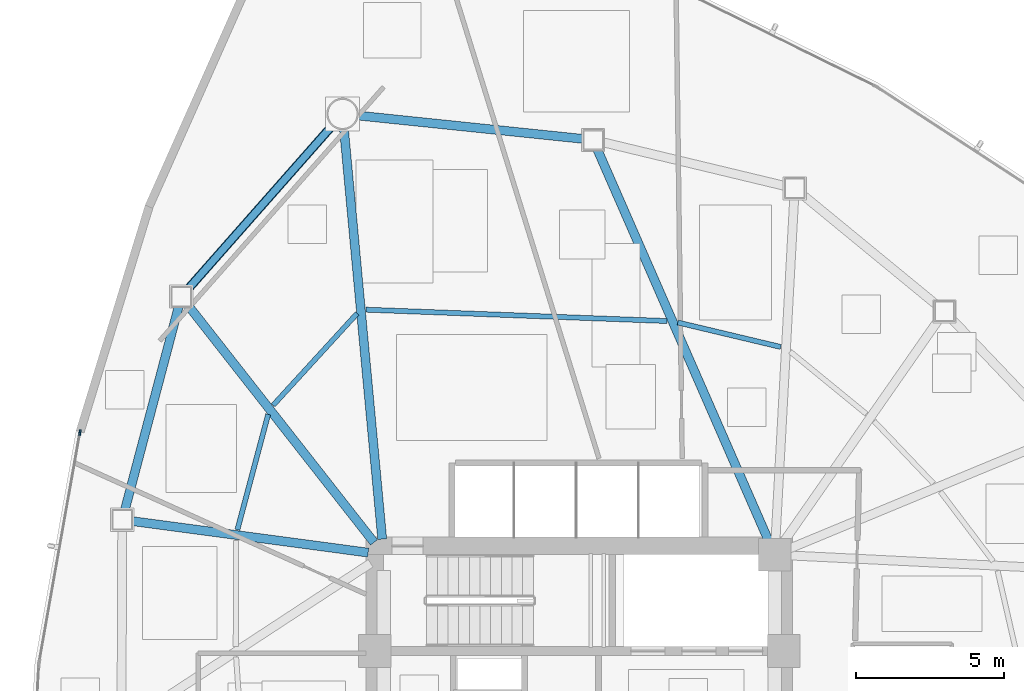
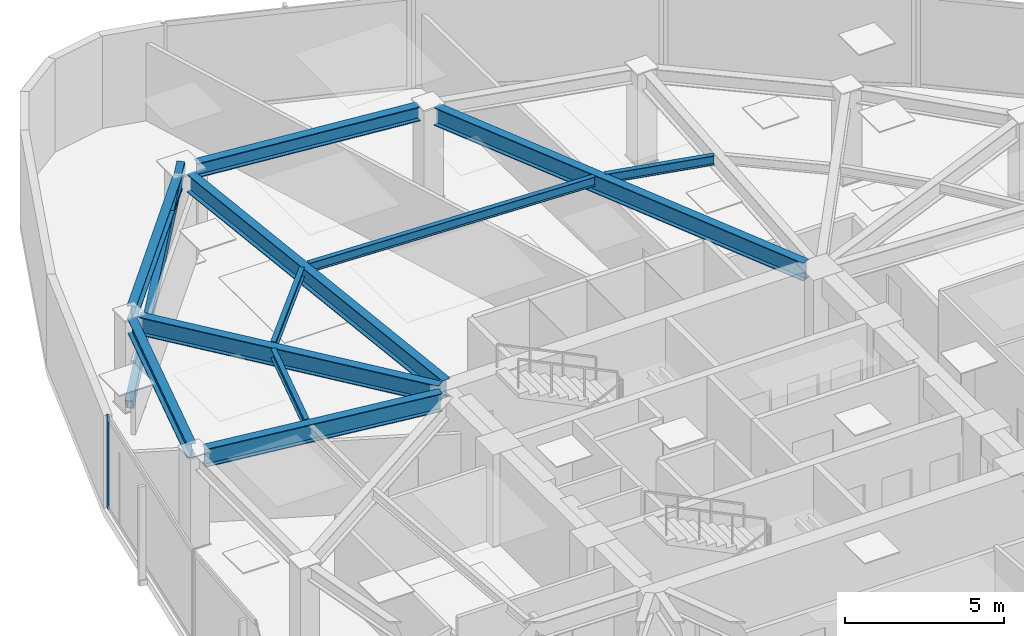
# One storey, part 7 of 17: 11 beams, 2 members, 1 element without a shape of its own.
"""IFC4 building model written with IfcOpenShell, lengths in metres."""

from ifc_helpers import new_model, si_unit, direction, frame, origin, origin_2d, place, context, subcontext, project, spatial, hollow_rectangle, i_section, extrude, source, transform, mapped, material, layer, layer_set, material_profile, profile_set, type_object, type_shapes, element, aggregate, save


model = new_model("IFC4")

# Units and contexts
model_context = context("Model", 3, precision=1e-05, world=origin(), true_north=direction((0.0, 1.0)))
body_context = subcontext(model_context, "Body", "Model", "MODEL_VIEW")
ifc_project = project(units=[si_unit("LENGTHUNIT", "METRE"), si_unit("AREAUNIT", "SQUARE_METRE"), si_unit("VOLUMEUNIT", "CUBIC_METRE"), si_unit("PLANEANGLEUNIT", "RADIAN"), si_unit("MASSUNIT", "GRAM", prefix="KILO")], contexts=[model_context])

# Site, building, storey
site_placement = place(None, origin())
site = spatial("IfcSite", under=ifc_project, at=site_placement, CompositionType="ELEMENT")
building_placement = place(site_placement, origin())
building = spatial("IfcBuilding", under=site, at=building_placement, Name="Tavelor Broadcast Tower", CompositionType="ELEMENT")
storey_placement = place(building_placement, frame((0.0, 0.0, 131.0)))
storey = spatial("IfcBuildingStorey", under=building, at=storey_placement, Name="L30", CompositionType="ELEMENT", Elevation=131.0)

# Beams
ifc_material_1 = material(Name="Steel S355", Category="steel")
ifc_material_profile_1 = material_profile(ifc_material_1, i_section(OverallWidth=0.169921875, OverallDepth=0.360107421875, WebThickness=0.008056640625, FlangeThickness=0.0126953125, at=origin_2d()), Name="IPE 360")
ifc_profile_set_1 = profile_set([ifc_material_profile_1], Name="Steel S355")
beam_type_1 = type_object("IfcBeamType", Name="Composite Floor Joist T3 IPE 360", PredefinedType="JOIST", material=ifc_profile_set_1)
beam_1_placement = place(storey_placement, frame((42.505126953125, 59.344970703125, 3.3701171875), z_axis=(-0.675177020038, -0.737655740581, 0.0), x_axis=(0.737655740581, -0.675177020038, 0.0)))
element("IfcBeam", 1, at=beam_1_placement, inside=storey, type_object=beam_type_1, Name="L30 Secondary Composite Floor Joist 01", PredefinedType="JOIST", context=body_context, shape_type="SweptSolid", body=[
    extrude(i_section(OverallWidth=0.169921875, OverallDepth=0.360107421875, WebThickness=0.008056640625, FlangeThickness=0.0126953125, at=origin_2d()), origin(), (0.0, 0.0, 1.0), 4.20068359375),
])
beam_2_placement = place(storey_placement, frame((39.5, 55.937744140625, 3.3701171875), z_axis=(-0.257647578953, -0.966238958571, 0.0), x_axis=(0.966238958571, -0.257647578953, 0.0)))
element("IfcBeam", 2, at=beam_2_placement, inside=storey, type_object=beam_type_1, Name="L30 Secondary Composite Floor Joist 02", PredefinedType="JOIST", context=body_context, shape_type="SweptSolid", body=[
    extrude(i_section(OverallWidth=0.169921875, OverallDepth=0.360107421875, WebThickness=0.008056640625, FlangeThickness=0.0126953125, at=origin_2d()), origin(), (0.0, 0.0, 1.0), 4.032958984375),
])
beam_3_placement = place(storey_placement, frame((56.80517578125, 58.21240234375, 3.3701171875), z_axis=(-0.972854549724, 0.231417426056, 0.0), x_axis=(-0.231417426056, -0.972854549724, 0.0)))
element("IfcBeam", 3, at=beam_3_placement, inside=storey, type_object=beam_type_1, Name="L30 Secondary Composite Floor Joist 17", PredefinedType="JOIST", context=body_context, shape_type="SweptSolid", body=[
    extrude(i_section(OverallWidth=0.169921875, OverallDepth=0.360107421875, WebThickness=0.008056640625, FlangeThickness=0.0126953125, at=origin_2d()), origin(), (0.0, 0.0, 1.0), 3.575439453125),
])
beam_4_placement = place(storey_placement, frame((52.969970703125, 59.08837890625, 3.3701171875), z_axis=(-0.999289376722, 0.037692725691, 0.0), x_axis=(-0.037692725691, -0.999289376722, 0.0)))
element("IfcBeam", 4, at=beam_4_placement, inside=storey, type_object=beam_type_1, Name="L30 Secondary Composite Floor Joist 18", PredefinedType="JOIST", context=body_context, shape_type="SweptSolid", body=[
    extrude(i_section(OverallWidth=0.169921875, OverallDepth=0.360107421875, WebThickness=0.008056640625, FlangeThickness=0.0126953125, at=origin_2d()), origin(), (0.0, 0.0, 1.0), 10.169189453125),
])
ifc_material_profile_2 = material_profile(ifc_material_1, i_section(OverallWidth=0.300048828125, OverallDepth=0.550048828125, WebThickness=0.014892578125, FlangeThickness=0.029052734375, at=origin_2d()), Name="HEB 550")
ifc_profile_set_2 = profile_set([ifc_material_profile_2], Name="Steel S355")
beam_type_2 = type_object("IfcBeamType", Name="Perimeter Spandrel Beam T3 HEB 550", PredefinedType="SPANDREL", material=ifc_profile_set_2)
beam_5_placement = place(storey_placement, frame((41.67236328125, 65.69580078125, 3.27490234375), z_axis=(-0.661628202511, -0.749832062292, 0.0), x_axis=(0.749832062292, -0.661628202511, 0.0)))
element("IfcBeam", 5, at=beam_5_placement, inside=storey, type_object=beam_type_2, Name="L30 Framed-Tube Ring Spandrel 01", PredefinedType="SPANDREL", context=body_context, shape_type="SweptSolid", body=[
    extrude(i_section(OverallWidth=0.300048828125, OverallDepth=0.550048828125, WebThickness=0.014892578125, FlangeThickness=0.029052734375, at=origin_2d()), origin(), (0.0, 0.0, 1.0), 7.379150390625),
])
beam_6_placement = place(storey_placement, frame((36.481689453125, 59.5859375, 3.27490234375), z_axis=(-0.255779440044, -0.966735164381, 0.0), x_axis=(0.966735164381, -0.255779440044, 0.0)))
element("IfcBeam", 6, at=beam_6_placement, inside=storey, type_object=beam_type_2, Name="L30 Framed-Tube Ring Spandrel 02", PredefinedType="SPANDREL", context=body_context, shape_type="SweptSolid", body=[
    extrude(i_section(OverallWidth=0.300048828125, OverallDepth=0.550048828125, WebThickness=0.014892578125, FlangeThickness=0.029052734375, at=origin_2d()), origin(), (0.0, 0.0, 1.0), 7.11865234375),
])
beam_7_placement = place(storey_placement, frame((50.13818359375, 65.23681640625, 3.27490234375), z_axis=(-0.994661371522, 0.103192809834, 0.0), x_axis=(-0.103192809834, -0.994661371522, 0.0)))
element("IfcBeam", 7, at=beam_7_placement, inside=storey, type_object=beam_type_2, Name="L30 Framed-Tube Ring Spandrel 18", PredefinedType="SPANDREL", context=body_context, shape_type="SweptSolid", body=[
    extrude(i_section(OverallWidth=0.300048828125, OverallDepth=0.550048828125, WebThickness=0.014892578125, FlangeThickness=0.029052734375, at=origin_2d()), origin(), (0.0, 0.0, 1.0), 7.658203125),
])

# Member
ifc_material_profile_3 = material_profile(ifc_material_1, hollow_rectangle(XDim=0.25, YDim=0.449951171875, WallThickness=0.02001953125, at=origin_2d()), Name="RHS 450x250x20")
ifc_profile_set_3 = profile_set([ifc_material_profile_3], Name="Steel S355")
member_type_1 = type_object("IfcMemberType", Name="Perimeter Tube Brace T3 RHS 450x250x20", PredefinedType="BRACE", material=ifc_profile_set_3)
member_1_placement = place(storey_placement, frame((36.567626953125, 59.91064453125, 0.0), z_axis=(0.607484590691, 0.688484352459, 0.396171387776), x_axis=(-0.74983872131, 0.661620655681, 0.0)))
element("IfcMember", 8, at=member_1_placement, inside=storey, type_object=member_type_1, Name="L30 Corner Tube Diagonal Brace 1", PredefinedType="BRACE", context=body_context, shape_type="SweptSolid", body=[
    extrude(hollow_rectangle(XDim=0.25, YDim=0.449951171875, WallThickness=0.02001953125, at=origin_2d()), origin(), (0.0, 0.0, 1.0), 8.9609375),
])

# Beams
ifc_material_profile_4 = material_profile(ifc_material_1, i_section(OverallWidth=0.300048828125, OverallDepth=0.68994140625, WebThickness=0.014404296875, FlangeThickness=0.027099609375, at=origin_2d()), Name="HEA 700")
ifc_profile_set_4 = profile_set([ifc_material_profile_4], Name="Steel S355")
beam_type_3 = type_object("IfcBeamType", Name="Radial Floor Girder T3 HEA 700", PredefinedType="BEAM", material=ifc_profile_set_4)
beam_8_placement = place(storey_placement, frame((43.350830078125, 51.7255859375, 3.205078125), z_axis=(-0.092918079293, 0.995673757081, 0.0), x_axis=(-0.995673757081, -0.092918079293, 0.0)))
element("IfcBeam", 9, at=beam_8_placement, inside=storey, type_object=beam_type_3, Name="L30 Radial Primary Floor Girder 01", PredefinedType="BEAM", context=body_context, shape_type="SweptSolid", body=[
    extrude(i_section(OverallWidth=0.300048828125, OverallDepth=0.68994140625, WebThickness=0.014404296875, FlangeThickness=0.027099609375, at=origin_2d()), origin(), (0.0, 0.0, 1.0), 13.904541015625),
])
beam_9_placement = place(storey_placement, frame((43.07421875, 51.615478515625, 3.205078125), z_axis=(-0.617166360417, 0.786832690964, 0.0), x_axis=(-0.786832690964, -0.617166360417, 0.0)))
element("IfcBeam", 10, at=beam_9_placement, inside=storey, type_object=beam_type_3, Name="L30 Radial Primary Floor Girder 02", PredefinedType="BEAM", context=body_context, shape_type="SweptSolid", body=[
    extrude(i_section(OverallWidth=0.300048828125, OverallDepth=0.68994140625, WebThickness=0.014404296875, FlangeThickness=0.027099609375, at=origin_2d()), origin(), (0.0, 0.0, 1.0), 10.20654296875),
])
beam_10_placement = place(storey_placement, frame((42.876708984375, 51.27001953125, 3.205078125), z_axis=(-0.991191527329, 0.132436234281, 0.0), x_axis=(-0.132436234281, -0.991191527329, 0.0)))
element("IfcBeam", 11, at=beam_10_placement, inside=storey, type_object=beam_type_3, Name="L30 Radial Primary Floor Girder 03", PredefinedType="BEAM", context=body_context, shape_type="SweptSolid", body=[
    extrude(i_section(OverallWidth=0.300048828125, OverallDepth=0.68994140625, WebThickness=0.014404296875, FlangeThickness=0.027099609375, at=origin_2d()), origin(), (0.0, 0.0, 1.0), 8.039306640625),
])
beam_11_placement = place(storey_placement, frame((56.38818359375, 51.68359375, 3.205078125), z_axis=(-0.400896102053, 0.916123526255, 0.0), x_axis=(-0.916123526255, -0.400896102053, 0.0)))
element("IfcBeam", 12, at=beam_11_placement, inside=storey, type_object=beam_type_3, Name="L30 Radial Primary Floor Girder 18", PredefinedType="BEAM", context=body_context, shape_type="SweptSolid", body=[
    extrude(i_section(OverallWidth=0.300048828125, OverallDepth=0.68994140625, WebThickness=0.014404296875, FlangeThickness=0.027099609375, at=origin_2d()), origin(), (0.0, 0.0, 1.0), 14.420166015625),
])

# Curtain wall, member
ifc_material_2 = material(Name="Architectural Anodized Aluminium", Category="aluminium")
ifc_layer = layer(ifc_material_2, 0.18994140625)
ifc_layer_set = layer_set([ifc_layer], Name="Architectural Anodized Aluminium")
curtain_wall_type = type_object("IfcCurtainWallType", Name="Tower Mid-Zone Acoustic Curtain Wall CW03", PredefinedType="NOTDEFINED", material=ifc_layer_set)
curtain_wall_placement = place(storey_placement, origin())
curtain_wall = element("IfcCurtainWall", 13, at=curtain_wall_placement, inside=storey, type_object=curtain_wall_type, Name="L30 Curtain Wall CW03 Run 301", PredefinedType="NOTDEFINED")
ifc_material_profile_5 = material_profile(ifc_material_2, hollow_rectangle(XDim=0.068115234375, YDim=0.18994140625, WallThickness=0.02197265625, at=origin_2d()), Name="RHS 68x190x22")
ifc_profile_set_5 = profile_set([ifc_material_profile_5], Name="Architectural Anodized Aluminium")
member_type_2 = type_object("IfcMemberType", Name="CW03 Extruded Aluminium Mullion 68x190", PredefinedType="MULLION", material=ifc_profile_set_5)
shared_shape = source(origin(), body_context, "Body", "SweptSolid", [
    extrude(hollow_rectangle(XDim=0.068115234375, YDim=0.18994140625, WallThickness=0.02197265625, at=origin_2d()), origin(), (0.0, 0.0, 1.0), 3.550048828125),
])
type_shapes(member_type_2, [shared_shape])
member_2_placement = place(storey_placement, frame((33.14697265625, 55.32373046875, 0.0), z_axis=(0.0, 0.0, 1.0), x_axis=(0.984578954296, -0.174940797866, 0.0)))
member_2 = element("IfcMember", 14, at=member_2_placement, type_object=member_type_2, Name="CW03 mullion 1", PredefinedType="MULLION", context=body_context, shape_type="MappedRepresentation", body=[
    mapped(shared_shape, transform((0.0, 0.0, 0.0), scale=1.0)),
])
aggregate(curtain_wall, [member_2])

save(model, "model.ifc")
